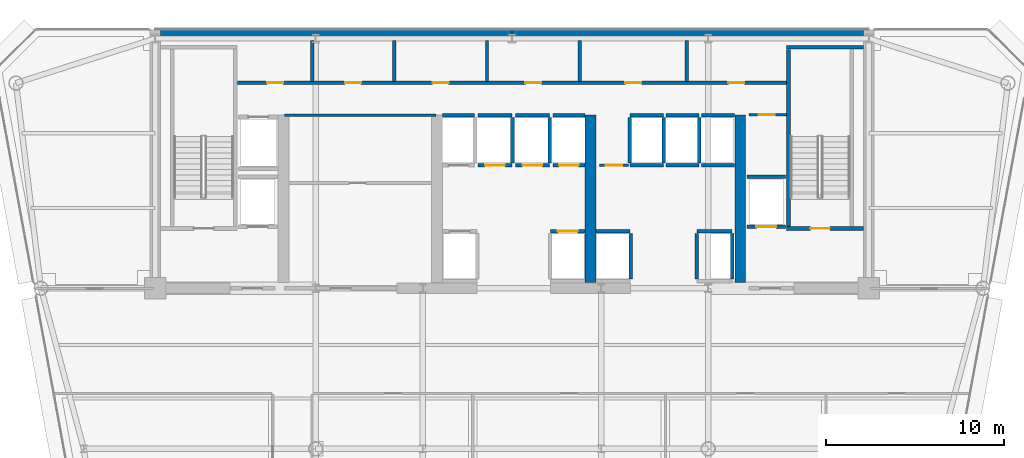
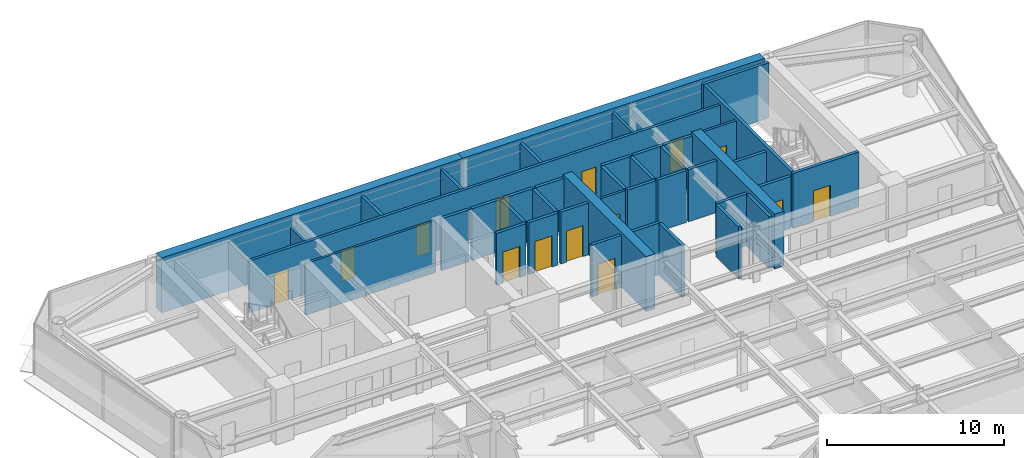
# One storey, part 11 of 16: 42 walls, 14 doors, 14 openings.
"""IFC4 building model written with IfcOpenShell, lengths in metres."""

from ifc_helpers import new_model, si_unit, direction, frame, frame_2d, origin, place, context, subcontext, project, spatial, rectangle, extrude, source, transform, mapped, material, layer, layer_set, type_object, element, fill, save


model = new_model("IFC4")

# Units and contexts
model_context = context("Model", 3, precision=1e-05, world=origin(), true_north=direction((0.0, 1.0)))
body_context = subcontext(model_context, "Body", "Model", "MODEL_VIEW")
ifc_project = project(units=[si_unit("LENGTHUNIT", "METRE"), si_unit("AREAUNIT", "SQUARE_METRE"), si_unit("VOLUMEUNIT", "CUBIC_METRE"), si_unit("PLANEANGLEUNIT", "RADIAN"), si_unit("MASSUNIT", "GRAM", prefix="KILO")], contexts=[model_context])

# Site, building, storey
site_placement = place(None, origin())
site = spatial("IfcSite", under=ifc_project, at=site_placement, CompositionType="ELEMENT")
building_placement = place(site_placement, origin())
building = spatial("IfcBuilding", under=site, at=building_placement, Name="Vaeldorn Concourse Tower", CompositionType="ELEMENT")
storey_placement = place(building_placement, frame((0.0, 0.0, 188.0)))
storey = spatial("IfcBuildingStorey", under=building, at=storey_placement, Name="L48", CompositionType="ELEMENT", Elevation=188.0)

# Walls
ifc_material_1 = material(Name="Concrete C50/60", Category="concrete")
ifc_layer_1 = layer(ifc_material_1, 0.60009765625)
ifc_layer_set_1 = layer_set([ifc_layer_1], Name="Concrete C50/60")
wall_type_1 = type_object("IfcWallType", Name="WL-CORE-600", PredefinedType="SHEAR", material=ifc_layer_set_1)
for number, where, z_axis, x_axis, name in (
    (1, (14.303955078125, 50.699951171875, 0.0), (0.0, 0.0, 1.0), (1.0, 0.0, 0.0), "Rear Core Shear Wall L48 N1"),
    (2, (34.001953125, 50.699951171875, 0.0), (0.0, 0.0, 1.0), (1.0, 0.0, 0.0), "Rear Core Shear Wall L48 N2"),
):
    element("IfcWall", number, at=place(storey_placement, frame(where, z_axis=z_axis, x_axis=x_axis)), inside=storey, type_object=wall_type_1, Name=name, PredefinedType="SHEAR", context=body_context, shape_type="SweptSolid", body=[
        extrude(rectangle(XDim=19.694091796875, YDim=0.60009765625, at=frame_2d((9.84716796875, 0.0))), origin(), (0.0, 0.0, 1.0), 3.800048828125),
    ])
for number, where, z_axis, x_axis, name in (
    (3, (38.39990234375, 36.820068359375, 0.0), (0.0, 0.0, 1.0), (0.0, 1.0, 0.0), "Rear Core Shear Wall L48 M3"),
    (4, (46.800048828125, 36.820068359375, 0.0), (0.0, 0.0, 1.0), (0.0, 1.0, 0.0), "Rear Core Shear Wall L48 M4"),
):
    element("IfcWall", number, at=place(storey_placement, frame(where, z_axis=z_axis, x_axis=x_axis)), inside=storey, type_object=wall_type_1, Name=name, PredefinedType="SHEAR", context=body_context, shape_type="SweptSolid", body=[
        extrude(rectangle(XDim=9.3798828125, YDim=0.60009765625, at=frame_2d((4.68994140625, 0.0))), origin(), (0.0, 0.0, 1.0), 3.800048828125),
    ])
ifc_material_2 = material(Name="Gypsum Board Partition", Category="gypsum")
ifc_layer_2 = layer(ifc_material_2, 0.14990234375)
ifc_layer_set_2 = layer_set([ifc_layer_2], Name="Gypsum Board Partition")
wall_type_2 = type_object("IfcWallType", Name="WL-PART-150", PredefinedType="PARTITIONING", material=ifc_layer_set_2)
wall_1_placement = place(storey_placement, frame((21.25, 46.199951171875, 0.0), z_axis=(0.0, 0.0, 1.0), x_axis=(1.0, 0.0, 0.0)))
element("IfcWall", 5, at=wall_1_placement, inside=storey, type_object=wall_type_2, Name="Interior Wall CW-L48-R1N", PredefinedType="PARTITIONING", context=body_context, shape_type="SweptSolid", body=[
    extrude(rectangle(XDim=8.5, YDim=0.14990234375, at=frame_2d((4.25, 0.0))), origin(), (0.0, 0.0, 1.0), 3.580078125),
])

# Wall, opening, door
wall_2_placement = place(storey_placement, frame((47.280029296875, 46.219970703125, 0.0), z_axis=(0.0, 0.0, 1.0), x_axis=(1.0, 0.0, 0.0)))
wall_2 = element("IfcWall", 6, at=wall_2_placement, inside=storey, type_object=wall_type_2, Name="Interior Wall CW-L48-CRSE-N", PredefinedType="PARTITIONING", context=body_context, shape_type="SweptSolid", body=[
    extrude(rectangle(XDim=2.099853515625, YDim=0.14990234375, at=frame_2d((1.0498046875, 0.0))), origin(), (0.0, 0.0, 1.0), 3.580078125),
])
opening_1_placement = place(wall_2_placement, frame((0.550048828125, 0.0, 0.0)))
opening_1 = element("IfcOpeningElement", 7, at=opening_1_placement, cuts=wall_2, Name="Opening D-02", PredefinedType="OPENING", context=body_context, shape_type="SweptSolid", body=[
    extrude(rectangle(XDim=0.89990234375, YDim=2.10009765625, at=frame_2d((0.449951171875, 1.050048828125))), frame((0.0, 0.0849609375, 0.0), z_axis=(0.0, -1.0, 0.0), x_axis=(1.0, 0.0, 0.0)), (0.0, 0.0, 1.0), 0.169921875),
])
ifc_material_3 = material(Name="Fire-Rated Timber Leaf", Category="wood")
door_type_1 = type_object("IfcDoorType", Name="DR-FD30-900", OperationType="NOTDEFINED", PredefinedType="DOOR", material=ifc_material_3)
shared_shape_1 = source(origin(), body_context, "Body", "SweptSolid", [
    extrude(rectangle(XDim=0.89990234375, YDim=2.10009765625, at=frame_2d((0.449951171875, 1.050048828125))), frame((0.0, 0.02490234375, 0.0), z_axis=(0.0, -1.0, 0.0), x_axis=(1.0, 0.0, 0.0)), (0.0, 0.0, 1.0), 0.050048828125),
])
door_1_placement = place(opening_1_placement, origin())
door_1 = element("IfcDoor", 8, at=door_1_placement, inside=storey, type_object=door_type_1, Name="Interior Door DR-L48-CRSE", OperationType="SINGLE_SWING_RIGHT", OverallHeight=2.10009765625, OverallWidth=0.89990234375, PredefinedType="DOOR", context=body_context, shape_type="MappedRepresentation", body=[
    mapped(shared_shape_1, transform((0.0, 0.0, 0.0), scale=1.0)),
])
fill(opening_1, door_1)

wall_3_placement = place(storey_placement, frame((38.919921875, 43.39990234375, 0.0), z_axis=(0.0, 0.0, 1.0), x_axis=(1.0, 0.0, 0.0)))
wall_3 = element("IfcWall", 9, at=wall_3_placement, inside=storey, type_object=wall_type_2, Name="Interior Wall CW-L48-CCLINK", PredefinedType="PARTITIONING", context=body_context, shape_type="SweptSolid", body=[
    extrude(rectangle(XDim=1.60009765625, YDim=0.14990234375, at=frame_2d((0.800048828125, 0.0))), origin(), (0.0, 0.0, 1.0), 3.580078125),
])
opening_2_placement = place(wall_3_placement, frame((0.35009765625, 0.0, 0.0)))
opening_2 = element("IfcOpeningElement", 10, at=opening_2_placement, cuts=wall_3, Name="Opening D-02", PredefinedType="OPENING", context=body_context, shape_type="SweptSolid", body=[
    extrude(rectangle(XDim=0.89990234375, YDim=2.10009765625, at=frame_2d((0.449951171875, 1.050048828125))), frame((0.0, 0.0849609375, 0.0), z_axis=(0.0, -1.0, 0.0), x_axis=(1.0, 0.0, 0.0)), (0.0, 0.0, 1.0), 0.169921875),
])
door_2_placement = place(opening_2_placement, origin())
door_2 = element("IfcDoor", 11, at=door_2_placement, inside=storey, type_object=door_type_1, Name="Interior Door DR-L48-CCLINK", OperationType="SINGLE_SWING_LEFT", OverallHeight=2.10009765625, OverallWidth=0.89990234375, PredefinedType="DOOR", context=body_context, shape_type="MappedRepresentation", body=[
    mapped(shared_shape_1, transform((0.0, 0.0, 0.0), scale=1.0)),
])
fill(opening_2, door_2)

# Wall, openings, doors
ifc_layer_3 = layer(ifc_material_2, 0.179931640625)
ifc_layer_set_3 = layer_set([ifc_layer_3], Name="Gypsum Board Partition")
wall_type_3 = type_object("IfcWallType", Name="WL-PLUMB-180", PredefinedType="PLUMBINGWALL", material=ifc_layer_set_3)
wall_4_placement = place(storey_placement, frame((18.6201171875, 48.02001953125, 0.0), z_axis=(0.0, 0.0, 1.0), x_axis=(1.0, 0.0, 0.0)))
wall_4 = element("IfcWall", 12, at=wall_4_placement, inside=storey, type_object=wall_type_3, Name="Interior Wall CW-L48-NS3", PredefinedType="PLUMBINGWALL", context=body_context, shape_type="SweptSolid", body=[
    extrude(rectangle(XDim=30.759765625, YDim=0.179931640625, at=frame_2d((15.3798828125, 0.0))), origin(), (0.0, 0.0, 1.0), 3.580078125),
])
opening_3_placement = place(wall_4_placement, frame((1.655029296875, 0.0, 0.0)))
opening_3 = element("IfcOpeningElement", 13, at=opening_3_placement, cuts=wall_4, Name="Opening D-03", PredefinedType="OPENING", context=body_context, shape_type="SweptSolid", body=[
    extrude(rectangle(XDim=0.89990234375, YDim=2.14990234375, at=frame_2d((0.449951171875, 1.074951171875))), frame((0.0, 0.10009765625, 0.0), z_axis=(0.0, -1.0, 0.0), x_axis=(1.0, 0.0, 0.0)), (0.0, 0.0, 1.0), 0.199951171875),
])
opening_4_placement = place(wall_4_placement, frame((6.030029296875, 0.0, 0.0)))
opening_4 = element("IfcOpeningElement", 14, at=opening_4_placement, cuts=wall_4, Name="Opening D-03", PredefinedType="OPENING", context=body_context, shape_type="SweptSolid", body=[
    extrude(rectangle(XDim=0.89990234375, YDim=2.14990234375, at=frame_2d((0.449951171875, 1.074951171875))), frame((0.0, 0.10009765625, 0.0), z_axis=(0.0, -1.0, 0.0), x_axis=(1.0, 0.0, 0.0)), (0.0, 0.0, 1.0), 0.199951171875),
])
opening_5_placement = place(wall_4_placement, frame((10.929931640625, 0.0, 0.0)))
opening_5 = element("IfcOpeningElement", 15, at=opening_5_placement, cuts=wall_4, Name="Opening D-03", PredefinedType="OPENING", context=body_context, shape_type="SweptSolid", body=[
    extrude(rectangle(XDim=0.89990234375, YDim=2.14990234375, at=frame_2d((0.449951171875, 1.074951171875))), frame((0.0, 0.10009765625, 0.0), z_axis=(0.0, -1.0, 0.0), x_axis=(1.0, 0.0, 0.0)), (0.0, 0.0, 1.0), 0.199951171875),
])
opening_6_placement = place(wall_4_placement, frame((16.1298828125, 0.0, 0.0)))
opening_6 = element("IfcOpeningElement", 16, at=opening_6_placement, cuts=wall_4, Name="Opening D-03", PredefinedType="OPENING", context=body_context, shape_type="SweptSolid", body=[
    extrude(rectangle(XDim=0.89990234375, YDim=2.14990234375, at=frame_2d((0.449951171875, 1.074951171875))), frame((0.0, 0.10009765625, 0.0), z_axis=(0.0, -1.0, 0.0), x_axis=(1.0, 0.0, 0.0)), (0.0, 0.0, 1.0), 0.199951171875),
])
opening_7_placement = place(wall_4_placement, frame((21.72998046875, 0.0, 0.0)))
opening_7 = element("IfcOpeningElement", 17, at=opening_7_placement, cuts=wall_4, Name="Opening D-03", PredefinedType="OPENING", context=body_context, shape_type="SweptSolid", body=[
    extrude(rectangle(XDim=0.89990234375, YDim=2.14990234375, at=frame_2d((0.449951171875, 1.074951171875))), frame((0.0, 0.10009765625, 0.0), z_axis=(0.0, -1.0, 0.0), x_axis=(1.0, 0.0, 0.0)), (0.0, 0.0, 1.0), 0.199951171875),
])
opening_8_placement = place(wall_4_placement, frame((27.5048828125, 0.0, 0.0)))
opening_8 = element("IfcOpeningElement", 18, at=opening_8_placement, cuts=wall_4, Name="Opening D-03", PredefinedType="OPENING", context=body_context, shape_type="SweptSolid", body=[
    extrude(rectangle(XDim=0.89990234375, YDim=2.14990234375, at=frame_2d((0.449951171875, 1.074951171875))), frame((0.0, 0.10009765625, 0.0), z_axis=(0.0, -1.0, 0.0), x_axis=(1.0, 0.0, 0.0)), (0.0, 0.0, 1.0), 0.199951171875),
])
ifc_material_4 = material(Name="Acoustic Bronze-Framed Glass Door", Category="glass")
door_type_2 = type_object("IfcDoorType", Name="DR-INT-900", OperationType="NOTDEFINED", PredefinedType="DOOR", material=ifc_material_4)
shared_shape_2 = source(origin(), body_context, "Body", "SweptSolid", [
    extrude(rectangle(XDim=0.89990234375, YDim=2.14990234375, at=frame_2d((0.449951171875, 1.074951171875))), frame((0.0, 0.02490234375, 0.0), z_axis=(0.0, -1.0, 0.0), x_axis=(1.0, 0.0, 0.0)), (0.0, 0.0, 1.0), 0.050048828125),
])
door_3_placement = place(opening_3_placement, origin())
door_3 = element("IfcDoor", 19, at=door_3_placement, inside=storey, type_object=door_type_2, Name="Interior Door DR-L48-CS1", OperationType="SINGLE_SWING_LEFT", OverallHeight=2.14990234375, OverallWidth=0.89990234375, PredefinedType="DOOR", context=body_context, shape_type="MappedRepresentation", body=[
    mapped(shared_shape_2, transform((0.0, 0.0, 0.0), scale=1.0)),
])
fill(opening_3, door_3)
door_4_placement = place(opening_4_placement, origin())
door_4 = element("IfcDoor", 20, at=door_4_placement, inside=storey, type_object=door_type_2, Name="Interior Door DR-L48-CS2", OperationType="SINGLE_SWING_RIGHT", OverallHeight=2.14990234375, OverallWidth=0.89990234375, PredefinedType="DOOR", context=body_context, shape_type="MappedRepresentation", body=[
    mapped(shared_shape_2, transform((0.0, 0.0, 0.0), scale=1.0)),
])
fill(opening_4, door_4)
door_5_placement = place(opening_5_placement, origin())
door_5 = element("IfcDoor", 21, at=door_5_placement, inside=storey, type_object=door_type_2, Name="Interior Door DR-L48-CS3", OperationType="SINGLE_SWING_LEFT", OverallHeight=2.14990234375, OverallWidth=0.89990234375, PredefinedType="DOOR", context=body_context, shape_type="MappedRepresentation", body=[
    mapped(shared_shape_2, transform((0.0, 0.0, 0.0), scale=1.0)),
])
fill(opening_5, door_5)
door_6_placement = place(opening_6_placement, origin())
door_6 = element("IfcDoor", 22, at=door_6_placement, inside=storey, type_object=door_type_2, Name="Interior Door DR-L48-CS4", OperationType="SINGLE_SWING_RIGHT", OverallHeight=2.14990234375, OverallWidth=0.89990234375, PredefinedType="DOOR", context=body_context, shape_type="MappedRepresentation", body=[
    mapped(shared_shape_2, transform((0.0, 0.0, 0.0), scale=1.0)),
])
fill(opening_6, door_6)
door_7_placement = place(opening_7_placement, origin())
door_7 = element("IfcDoor", 23, at=door_7_placement, inside=storey, type_object=door_type_2, Name="Interior Door DR-L48-CS5", OperationType="SINGLE_SWING_LEFT", OverallHeight=2.14990234375, OverallWidth=0.89990234375, PredefinedType="DOOR", context=body_context, shape_type="MappedRepresentation", body=[
    mapped(shared_shape_2, transform((0.0, 0.0, 0.0), scale=1.0)),
])
fill(opening_7, door_7)
door_8_placement = place(opening_8_placement, origin())
door_8 = element("IfcDoor", 24, at=door_8_placement, inside=storey, type_object=door_type_2, Name="Interior Door DR-L48-CS6", OperationType="SINGLE_SWING_RIGHT", OverallHeight=2.14990234375, OverallWidth=0.89990234375, PredefinedType="DOOR", context=body_context, shape_type="MappedRepresentation", body=[
    mapped(shared_shape_2, transform((0.0, 0.0, 0.0), scale=1.0)),
])
fill(opening_8, door_8)

# Walls
wall_5_placement = place(storey_placement, frame((22.800048828125, 48.10009765625, 0.0), z_axis=(0.0, 0.0, 1.0), x_axis=(0.0, 1.0, 0.0)))
element("IfcWall", 25, at=wall_5_placement, inside=storey, type_object=wall_type_3, Name="Interior Wall CW-L48-NDIV1", PredefinedType="PLUMBINGWALL", context=body_context, shape_type="SweptSolid", body=[
    extrude(rectangle(XDim=2.27978515625, YDim=0.179931640625, at=frame_2d((1.139892578125, 0.0))), origin(), (0.0, 0.0, 1.0), 2.969970703125),
])
for number, where, z_axis, x_axis, name in (
    (26, (27.39990234375, 48.10009765625, 0.0), (0.0, 0.0, 1.0), (0.0, 1.0, 0.0), "Interior Wall CW-L48-NDIV2"),
    (27, (32.60009765625, 48.10009765625, 0.0), (0.0, 0.0, 1.0), (0.0, 1.0, 0.0), "Interior Wall CW-L48-NDIV3"),
    (28, (37.800048828125, 48.10009765625, 0.0), (0.0, 0.0, 1.0), (0.0, 1.0, 0.0), "Interior Wall CW-L48-NDIV4"),
    (29, (43.800048828125, 48.10009765625, 0.0), (0.0, 0.0, 1.0), (0.0, 1.0, 0.0), "Interior Wall CW-L48-NDIV5"),
):
    element("IfcWall", number, at=place(storey_placement, frame(where, z_axis=z_axis, x_axis=x_axis)), inside=storey, type_object=wall_type_3, Name=name, PredefinedType="PLUMBINGWALL", context=body_context, shape_type="SweptSolid", body=[
        extrude(rectangle(XDim=2.27978515625, YDim=0.179931640625, at=frame_2d((1.139892578125, 0.0))), origin(), (0.0, 0.0, 1.0), 3.580078125),
    ])

# Wall, opening, door
ifc_layer_4 = layer(ifc_material_1, 0.199951171875)
ifc_layer_set_4 = layer_set([ifc_layer_4], Name="Concrete C50/60")
wall_type_4 = type_object("IfcWallType", Name="WL-SHAFT-200", PredefinedType="SOLIDWALL", material=ifc_layer_set_4)
wall_6_placement = place(storey_placement, frame((49.39990234375, 39.85009765625, 0.0), z_axis=(0.0, 0.0, 1.0), x_axis=(1.0, 0.0, 0.0)))
wall_6 = element("IfcWall", 30, at=wall_6_placement, inside=storey, type_object=wall_type_4, Name="Stair Shaft Wall CW-L48-ST-2-S", PredefinedType="SOLIDWALL", context=body_context, shape_type="SweptSolid", body=[
    extrude(rectangle(XDim=4.300048828125, YDim=0.199951171875, at=frame_2d((2.14990234375, 0.0))), origin(), (0.0, 0.0, 1.0), 3.800048828125),
])
opening_9_placement = place(wall_6_placement, frame((1.324951171875, 0.0, 0.0)))
opening_9 = element("IfcOpeningElement", 31, at=opening_9_placement, cuts=wall_6, Name="Opening D-01", PredefinedType="OPENING", context=body_context, shape_type="SweptSolid", body=[
    extrude(rectangle(XDim=1.10009765625, YDim=2.14990234375, at=frame_2d((0.550048828125, 1.074951171875))), frame((0.0, 0.10986328125, 0.0), z_axis=(0.0, -1.0, 0.0), x_axis=(1.0, 0.0, 0.0)), (0.0, 0.0, 1.0), 0.219970703125),
])
ifc_material_5 = material(Name="Fire-Rated Timber and Steel Leaf", Category="steel")
door_type_3 = type_object("IfcDoorType", Name="DR-FD60-1100", OperationType="NOTDEFINED", PredefinedType="DOOR", material=ifc_material_5)
shared_shape_3 = source(origin(), body_context, "Body", "SweptSolid", [
    extrude(rectangle(XDim=1.10009765625, YDim=2.14990234375, at=frame_2d((0.550048828125, 1.074951171875))), frame((0.0, 0.02490234375, 0.0), z_axis=(0.0, -1.0, 0.0), x_axis=(1.0, 0.0, 0.0)), (0.0, 0.0, 1.0), 0.050048828125),
])
door_9_placement = place(opening_9_placement, origin())
door_9 = element("IfcDoor", 32, at=door_9_placement, inside=storey, type_object=door_type_3, Name="Interior Door DR-L48-ST-2", OperationType="SINGLE_SWING_RIGHT", OverallHeight=2.14990234375, OverallWidth=1.10009765625, PredefinedType="DOOR", context=body_context, shape_type="MappedRepresentation", body=[
    mapped(shared_shape_3, transform((0.0, 0.0, 0.0), scale=1.0)),
])
fill(opening_9, door_9)

# Walls
wall_7_placement = place(storey_placement, frame((49.39990234375, 50.0, 0.0), z_axis=(0.0, 0.0, 1.0), x_axis=(1.0, 0.0, 0.0)))
element("IfcWall", 33, at=wall_7_placement, inside=storey, type_object=wall_type_4, Name="Stair Shaft Wall CW-L48-ST-2-N", PredefinedType="SOLIDWALL", context=body_context, shape_type="SweptSolid", body=[
    extrude(rectangle(XDim=4.300048828125, YDim=0.199951171875, at=frame_2d((2.14990234375, 0.0))), origin(), (0.0, 0.0, 1.0), 3.800048828125),
])
wall_8_placement = place(storey_placement, frame((49.5, 39.9599609375, 0.0), z_axis=(0.0, 0.0, 1.0), x_axis=(0.0, 1.0, 0.0)))
element("IfcWall", 34, at=wall_8_placement, inside=storey, type_object=wall_type_4, Name="Stair Shaft Wall CW-L48-ST-2-W", PredefinedType="SOLIDWALL", context=body_context, shape_type="SweptSolid", body=[
    extrude(rectangle(XDim=9.929931640625, YDim=0.199951171875, at=frame_2d((4.96484375, 0.0))), origin(), (0.0, 0.0, 1.0), 3.800048828125),
])

# Wall, opening, door
wall_9_placement = place(storey_placement, frame((36.169921875, 39.699951171875, 0.0), z_axis=(0.0, 0.0, 1.0), x_axis=(1.0, 0.0, 0.0)))
wall_9 = element("IfcWall", 35, at=wall_9_placement, inside=storey, type_object=wall_type_4, Name="Interior Wall CW-L48-LF-LF-08", PredefinedType="SOLIDWALL", context=body_context, shape_type="SweptSolid", body=[
    extrude(rectangle(XDim=1.920166015625, YDim=0.199951171875, at=frame_2d((0.9599609375, 0.0))), origin(), (0.0, 0.0, 1.0), 3.580078125),
])
opening_10_placement = place(wall_9_placement, frame((0.409912109375, 0.0, 0.0)))
opening_10 = element("IfcOpeningElement", 36, at=opening_10_placement, cuts=wall_9, Name="Opening LD-1", PredefinedType="OPENING", context=body_context, shape_type="SweptSolid", body=[
    extrude(rectangle(XDim=1.10009765625, YDim=2.14990234375, at=frame_2d((0.550048828125, 1.074951171875))), frame((0.0, 0.10986328125, 0.0), z_axis=(0.0, -1.0, 0.0), x_axis=(1.0, 0.0, 0.0)), (0.0, 0.0, 1.0), 0.219970703125),
])
ifc_material_6 = material(Name="Anodised Bronze Aluminium", Category="aluminium")
door_type_4 = type_object("IfcDoorType", Name="DR-LIFT-SLIDE-1100", OperationType="DOUBLE_DOOR_SLIDING", PredefinedType="DOOR", material=ifc_material_6)
door_10_placement = place(opening_10_placement, origin())
door_10 = element("IfcDoor", 37, at=door_10_placement, inside=storey, type_object=door_type_4, Name="Lift Landing Door LD-L48-LF-08", OperationType="DOUBLE_DOOR_SLIDING", OverallHeight=2.14990234375, OverallWidth=1.10009765625, PredefinedType="DOOR", context=body_context, shape_type="MappedRepresentation", body=[
    mapped(shared_shape_3, transform((0.0, 0.0, 0.0), scale=1.0)),
])
fill(opening_10, door_10)

# Wall
wall_10_placement = place(storey_placement, frame((30.110107421875, 46.199951171875, 0.0), z_axis=(0.0, 0.0, 1.0), x_axis=(1.0, 0.0, 0.0)))
element("IfcWall", 38, at=wall_10_placement, inside=storey, type_object=wall_type_4, Name="Interior Wall CW-L48-LFB-LF-09", PredefinedType="SOLIDWALL", context=body_context, shape_type="SweptSolid", body=[
    extrude(rectangle(XDim=1.7998046875, YDim=0.199951171875, at=frame_2d((0.89990234375, 0.0))), origin(), (0.0, 0.0, 1.0), 3.580078125),
])

# Wall, opening, door
wall_11_placement = place(storey_placement, frame((32.090087890625, 43.39990234375, 0.0), z_axis=(0.0, 0.0, 1.0), x_axis=(1.0, 0.0, 0.0)))
wall_11 = element("IfcWall", 39, at=wall_11_placement, inside=storey, type_object=wall_type_4, Name="Interior Wall CW-L48-LF-LF-10", PredefinedType="SOLIDWALL", context=body_context, shape_type="SweptSolid", body=[
    extrude(rectangle(XDim=1.919921875, YDim=0.199951171875, at=frame_2d((0.9599609375, 0.0))), origin(), (0.0, 0.0, 1.0), 3.580078125),
])
opening_11_placement = place(wall_11_placement, frame((0.409912109375, 0.0, 0.0)))
opening_11 = element("IfcOpeningElement", 40, at=opening_11_placement, cuts=wall_11, Name="Opening LD-1", PredefinedType="OPENING", context=body_context, shape_type="SweptSolid", body=[
    extrude(rectangle(XDim=1.10009765625, YDim=2.14990234375, at=frame_2d((0.550048828125, 1.074951171875))), frame((0.0, 0.10986328125, 0.0), z_axis=(0.0, -1.0, 0.0), x_axis=(1.0, 0.0, 0.0)), (0.0, 0.0, 1.0), 0.219970703125),
])
door_11_placement = place(opening_11_placement, origin())
door_11 = element("IfcDoor", 41, at=door_11_placement, inside=storey, type_object=door_type_4, Name="Lift Landing Door LD-L48-LF-10", OperationType="DOUBLE_DOOR_SLIDING", OverallHeight=2.14990234375, OverallWidth=1.10009765625, PredefinedType="DOOR", context=body_context, shape_type="MappedRepresentation", body=[
    mapped(shared_shape_3, transform((0.0, 0.0, 0.0), scale=1.0)),
])
fill(opening_11, door_11)

# Walls
wall_12_placement = place(storey_placement, frame((32.090087890625, 46.199951171875, 0.0), z_axis=(0.0, 0.0, 1.0), x_axis=(1.0, 0.0, 0.0)))
element("IfcWall", 42, at=wall_12_placement, inside=storey, type_object=wall_type_4, Name="Interior Wall CW-L48-LFB-LF-10", PredefinedType="SOLIDWALL", context=body_context, shape_type="SweptSolid", body=[
    extrude(rectangle(XDim=1.919921875, YDim=0.199951171875, at=frame_2d((0.9599609375, 0.0))), origin(), (0.0, 0.0, 1.0), 3.580078125),
])
wall_13_placement = place(storey_placement, frame((34.030029296875, 43.52001953125, 0.0), z_axis=(0.0, 0.0, 1.0), x_axis=(0.0, 1.0, 0.0)))
element("IfcWall", 43, at=wall_13_placement, inside=storey, type_object=wall_type_4, Name="Interior Wall CW-L48-LFE-LF-10", PredefinedType="SOLIDWALL", context=body_context, shape_type="SweptSolid", body=[
    extrude(rectangle(XDim=2.56005859375, YDim=0.199951171875, at=frame_2d((1.280029296875, 0.0))), origin(), (0.0, 0.0, 1.0), 3.580078125),
])

# Wall, opening, door
wall_14_placement = place(storey_placement, frame((34.18994140625, 43.39990234375, 0.0), z_axis=(0.0, 0.0, 1.0), x_axis=(1.0, 0.0, 0.0)))
wall_14 = element("IfcWall", 44, at=wall_14_placement, inside=storey, type_object=wall_type_4, Name="Interior Wall CW-L48-LF-LF-11", PredefinedType="SOLIDWALL", context=body_context, shape_type="SweptSolid", body=[
    extrude(rectangle(XDim=1.920166015625, YDim=0.199951171875, at=frame_2d((0.9599609375, 0.0))), origin(), (0.0, 0.0, 1.0), 3.580078125),
])
opening_12_placement = place(wall_14_placement, frame((0.409912109375, 0.0, 0.0)))
opening_12 = element("IfcOpeningElement", 45, at=opening_12_placement, cuts=wall_14, Name="Opening LD-1", PredefinedType="OPENING", context=body_context, shape_type="SweptSolid", body=[
    extrude(rectangle(XDim=1.10009765625, YDim=2.14990234375, at=frame_2d((0.550048828125, 1.074951171875))), frame((0.0, 0.10986328125, 0.0), z_axis=(0.0, -1.0, 0.0), x_axis=(1.0, 0.0, 0.0)), (0.0, 0.0, 1.0), 0.219970703125),
])
door_12_placement = place(opening_12_placement, origin())
door_12 = element("IfcDoor", 46, at=door_12_placement, inside=storey, type_object=door_type_4, Name="Lift Landing Door LD-L48-LF-11", OperationType="DOUBLE_DOOR_SLIDING", OverallHeight=2.14990234375, OverallWidth=1.10009765625, PredefinedType="DOOR", context=body_context, shape_type="MappedRepresentation", body=[
    mapped(shared_shape_3, transform((0.0, 0.0, 0.0), scale=1.0)),
])
fill(opening_12, door_12)

# Walls
wall_15_placement = place(storey_placement, frame((34.18994140625, 46.199951171875, 0.0), z_axis=(0.0, 0.0, 1.0), x_axis=(1.0, 0.0, 0.0)))
element("IfcWall", 47, at=wall_15_placement, inside=storey, type_object=wall_type_4, Name="Interior Wall CW-L48-LFB-LF-11", PredefinedType="SOLIDWALL", context=body_context, shape_type="SweptSolid", body=[
    extrude(rectangle(XDim=1.920166015625, YDim=0.199951171875, at=frame_2d((0.9599609375, 0.0))), origin(), (0.0, 0.0, 1.0), 3.580078125),
])
wall_16_placement = place(storey_placement, frame((36.1298828125, 43.52001953125, 0.0), z_axis=(0.0, 0.0, 1.0), x_axis=(0.0, 1.0, 0.0)))
element("IfcWall", 48, at=wall_16_placement, inside=storey, type_object=wall_type_4, Name="Interior Wall CW-L48-LFE-LF-11", PredefinedType="SOLIDWALL", context=body_context, shape_type="SweptSolid", body=[
    extrude(rectangle(XDim=2.56005859375, YDim=0.199951171875, at=frame_2d((1.280029296875, 0.0))), origin(), (0.0, 0.0, 1.0), 3.580078125),
])

# Wall, opening, door
wall_17_placement = place(storey_placement, frame((36.2900390625, 43.39990234375, 0.0), z_axis=(0.0, 0.0, 1.0), x_axis=(1.0, 0.0, 0.0)))
wall_17 = element("IfcWall", 49, at=wall_17_placement, inside=storey, type_object=wall_type_4, Name="Interior Wall CW-L48-LF-LF-12", PredefinedType="SOLIDWALL", context=body_context, shape_type="SweptSolid", body=[
    extrude(rectangle(XDim=1.800048828125, YDim=0.199951171875, at=frame_2d((0.89990234375, 0.0))), origin(), (0.0, 0.0, 1.0), 3.580078125),
])
opening_13_placement = place(wall_17_placement, frame((0.35009765625, 0.0, 0.0)))
opening_13 = element("IfcOpeningElement", 50, at=opening_13_placement, cuts=wall_17, Name="Opening LD-1", PredefinedType="OPENING", context=body_context, shape_type="SweptSolid", body=[
    extrude(rectangle(XDim=1.10009765625, YDim=2.14990234375, at=frame_2d((0.550048828125, 1.074951171875))), frame((0.0, 0.10986328125, 0.0), z_axis=(0.0, -1.0, 0.0), x_axis=(1.0, 0.0, 0.0)), (0.0, 0.0, 1.0), 0.219970703125),
])
door_13_placement = place(opening_13_placement, origin())
door_13 = element("IfcDoor", 51, at=door_13_placement, inside=storey, type_object=door_type_4, Name="Lift Landing Door LD-L48-LF-12", OperationType="DOUBLE_DOOR_SLIDING", OverallHeight=2.14990234375, OverallWidth=1.10009765625, PredefinedType="DOOR", context=body_context, shape_type="MappedRepresentation", body=[
    mapped(shared_shape_3, transform((0.0, 0.0, 0.0), scale=1.0)),
])
fill(opening_13, door_13)

# Walls
wall_18_placement = place(storey_placement, frame((36.2900390625, 46.199951171875, 0.0), z_axis=(0.0, 0.0, 1.0), x_axis=(1.0, 0.0, 0.0)))
element("IfcWall", 52, at=wall_18_placement, inside=storey, type_object=wall_type_4, Name="Interior Wall CW-L48-LFB-LF-12", PredefinedType="SOLIDWALL", context=body_context, shape_type="SweptSolid", body=[
    extrude(rectangle(XDim=1.800048828125, YDim=0.199951171875, at=frame_2d((0.89990234375, 0.0))), origin(), (0.0, 0.0, 1.0), 3.580078125),
])
wall_19_placement = place(storey_placement, frame((38.7099609375, 39.699951171875, 0.0), z_axis=(0.0, 0.0, 1.0), x_axis=(1.0, 0.0, 0.0)))
element("IfcWall", 53, at=wall_19_placement, inside=storey, type_object=wall_type_4, Name="Interior Wall CW-L48-LF-LF-13", PredefinedType="SOLIDWALL", context=body_context, shape_type="SweptSolid", body=[
    extrude(rectangle(XDim=1.919921875, YDim=0.199951171875, at=frame_2d((0.9599609375, 0.0))), origin(), (0.0, 0.0, 1.0), 3.580078125),
])
wall_20_placement = place(storey_placement, frame((40.64990234375, 37.02001953125, 0.0), z_axis=(0.0, 0.0, 1.0), x_axis=(0.0, 1.0, 0.0)))
element("IfcWall", 54, at=wall_20_placement, inside=storey, type_object=wall_type_4, Name="Interior Wall CW-L48-LFE-LF-13", PredefinedType="SOLIDWALL", context=body_context, shape_type="SweptSolid", body=[
    extrude(rectangle(XDim=2.56005859375, YDim=0.199951171875, at=frame_2d((1.280029296875, 0.0))), origin(), (0.0, 0.0, 1.0), 3.580078125),
])
wall_21_placement = place(storey_placement, frame((44.3701171875, 39.699951171875, 0.0), z_axis=(0.0, 0.0, 1.0), x_axis=(1.0, 0.0, 0.0)))
element("IfcWall", 55, at=wall_21_placement, inside=storey, type_object=wall_type_4, Name="Interior Wall CW-L48-LF-LF-14", PredefinedType="SOLIDWALL", context=body_context, shape_type="SweptSolid", body=[
    extrude(rectangle(XDim=1.9599609375, YDim=0.199951171875, at=frame_2d((0.97998046875, 0.0))), origin(), (0.0, 0.0, 1.0), 3.580078125),
])
for number, where, z_axis, x_axis, name in (
    (56, (44.35009765625, 37.02001953125, 0.0), (0.0, 0.0, 1.0), (0.0, 1.0, 0.0), "Interior Wall CW-L48-LFW-LF-14"),
    (57, (46.35009765625, 37.02001953125, 0.0), (0.0, 0.0, 1.0), (0.0, 1.0, 0.0), "Interior Wall CW-L48-LFE-LF-14"),
):
    element("IfcWall", number, at=place(storey_placement, frame(where, z_axis=z_axis, x_axis=x_axis)), inside=storey, type_object=wall_type_4, Name=name, PredefinedType="SOLIDWALL", context=body_context, shape_type="SweptSolid", body=[
        extrude(rectangle(XDim=2.56005859375, YDim=0.199951171875, at=frame_2d((1.280029296875, 0.0))), origin(), (0.0, 0.0, 1.0), 3.580078125),
    ])
for number, where, z_axis, x_axis, name in (
    (58, (40.6201171875, 43.39990234375, 0.0), (0.0, 0.0, 1.0), (1.0, 0.0, 0.0), "Interior Wall CW-L48-LF-LF-15"),
    (59, (40.6201171875, 46.199951171875, 0.0), (0.0, 0.0, 1.0), (1.0, 0.0, 0.0), "Interior Wall CW-L48-LFB-LF-15"),
):
    element("IfcWall", number, at=place(storey_placement, frame(where, z_axis=z_axis, x_axis=x_axis)), inside=storey, type_object=wall_type_4, Name=name, PredefinedType="SOLIDWALL", context=body_context, shape_type="SweptSolid", body=[
        extrude(rectangle(XDim=1.85986328125, YDim=0.199951171875, at=frame_2d((0.929931640625, 0.0))), origin(), (0.0, 0.0, 1.0), 3.580078125),
    ])
for number, where, z_axis, x_axis, name in (
    (60, (40.60009765625, 43.52001953125, 0.0), (0.0, 0.0, 1.0), (0.0, 1.0, 0.0), "Interior Wall CW-L48-LFW-LF-15"),
    (61, (42.5, 43.52001953125, 0.0), (0.0, 0.0, 1.0), (0.0, 1.0, 0.0), "Interior Wall CW-L48-LFE-LF-15"),
):
    element("IfcWall", number, at=place(storey_placement, frame(where, z_axis=z_axis, x_axis=x_axis)), inside=storey, type_object=wall_type_4, Name=name, PredefinedType="SOLIDWALL", context=body_context, shape_type="SweptSolid", body=[
        extrude(rectangle(XDim=2.56005859375, YDim=0.199951171875, at=frame_2d((1.280029296875, 0.0))), origin(), (0.0, 0.0, 1.0), 3.580078125),
    ])
for number, where, z_axis, x_axis, name in (
    (62, (42.6201171875, 43.39990234375, 0.0), (0.0, 0.0, 1.0), (1.0, 0.0, 0.0), "Interior Wall CW-L48-LF-LF-16"),
    (63, (42.6201171875, 46.199951171875, 0.0), (0.0, 0.0, 1.0), (1.0, 0.0, 0.0), "Interior Wall CW-L48-LFB-LF-16"),
):
    element("IfcWall", number, at=place(storey_placement, frame(where, z_axis=z_axis, x_axis=x_axis)), inside=storey, type_object=wall_type_4, Name=name, PredefinedType="SOLIDWALL", context=body_context, shape_type="SweptSolid", body=[
        extrude(rectangle(XDim=1.85986328125, YDim=0.199951171875, at=frame_2d((0.929931640625, 0.0))), origin(), (0.0, 0.0, 1.0), 3.580078125),
    ])
wall_22_placement = place(storey_placement, frame((44.5, 43.52001953125, 0.0), z_axis=(0.0, 0.0, 1.0), x_axis=(0.0, 1.0, 0.0)))
element("IfcWall", 64, at=wall_22_placement, inside=storey, type_object=wall_type_4, Name="Interior Wall CW-L48-LFE-LF-16", PredefinedType="SOLIDWALL", context=body_context, shape_type="SweptSolid", body=[
    extrude(rectangle(XDim=2.56005859375, YDim=0.199951171875, at=frame_2d((1.280029296875, 0.0))), origin(), (0.0, 0.0, 1.0), 3.580078125),
])
for number, where, z_axis, x_axis, name in (
    (65, (44.6201171875, 43.39990234375, 0.0), (0.0, 0.0, 1.0), (1.0, 0.0, 0.0), "Interior Wall CW-L48-LF-LF-17"),
    (66, (44.6201171875, 46.199951171875, 0.0), (0.0, 0.0, 1.0), (1.0, 0.0, 0.0), "Interior Wall CW-L48-LFB-LF-17"),
):
    element("IfcWall", number, at=place(storey_placement, frame(where, z_axis=z_axis, x_axis=x_axis)), inside=storey, type_object=wall_type_4, Name=name, PredefinedType="SOLIDWALL", context=body_context, shape_type="SweptSolid", body=[
        extrude(rectangle(XDim=1.85986328125, YDim=0.199951171875, at=frame_2d((0.929931640625, 0.0))), origin(), (0.0, 0.0, 1.0), 3.580078125),
    ])

# Wall, opening, door
wall_23_placement = place(storey_placement, frame((47.169921875, 39.949951171875, 0.0), z_axis=(0.0, 0.0, 1.0), x_axis=(1.0, 0.0, 0.0)))
wall_23 = element("IfcWall", 67, at=wall_23_placement, inside=storey, type_object=wall_type_4, Name="Interior Wall CW-L48-LF-LF-FF2", PredefinedType="SOLIDWALL", context=body_context, shape_type="SweptSolid", body=[
    extrude(rectangle(XDim=2.16015625, YDim=0.199951171875, at=frame_2d((1.080078125, 0.0))), origin(), (0.0, 0.0, 1.0), 3.580078125),
])
opening_14_placement = place(wall_23_placement, frame((0.530029296875, 0.0, 0.0)))
opening_14 = element("IfcOpeningElement", 68, at=opening_14_placement, cuts=wall_23, Name="Opening LD-1", PredefinedType="OPENING", context=body_context, shape_type="SweptSolid", body=[
    extrude(rectangle(XDim=1.10009765625, YDim=2.14990234375, at=frame_2d((0.550048828125, 1.074951171875))), frame((0.0, 0.10986328125, 0.0), z_axis=(0.0, -1.0, 0.0), x_axis=(1.0, 0.0, 0.0)), (0.0, 0.0, 1.0), 0.219970703125),
])
door_14_placement = place(opening_14_placement, origin())
door_14 = element("IfcDoor", 69, at=door_14_placement, inside=storey, type_object=door_type_4, Name="Lift Landing Door LD-L48-LF-FF2", OperationType="DOUBLE_DOOR_SLIDING", OverallHeight=2.14990234375, OverallWidth=1.10009765625, PredefinedType="DOOR", context=body_context, shape_type="MappedRepresentation", body=[
    mapped(shared_shape_3, transform((0.0, 0.0, 0.0), scale=1.0)),
])
fill(opening_14, door_14)

# Wall
wall_24_placement = place(storey_placement, frame((47.169921875, 42.75, 0.0), z_axis=(0.0, 0.0, 1.0), x_axis=(1.0, 0.0, 0.0)))
element("IfcWall", 70, at=wall_24_placement, inside=storey, type_object=wall_type_4, Name="Interior Wall CW-L48-LFB-LF-FF2", PredefinedType="SOLIDWALL", context=body_context, shape_type="SweptSolid", body=[
    extrude(rectangle(XDim=2.16015625, YDim=0.199951171875, at=frame_2d((1.080078125, 0.0))), origin(), (0.0, 0.0, 1.0), 3.580078125),
])

save(model, "model.ifc")
